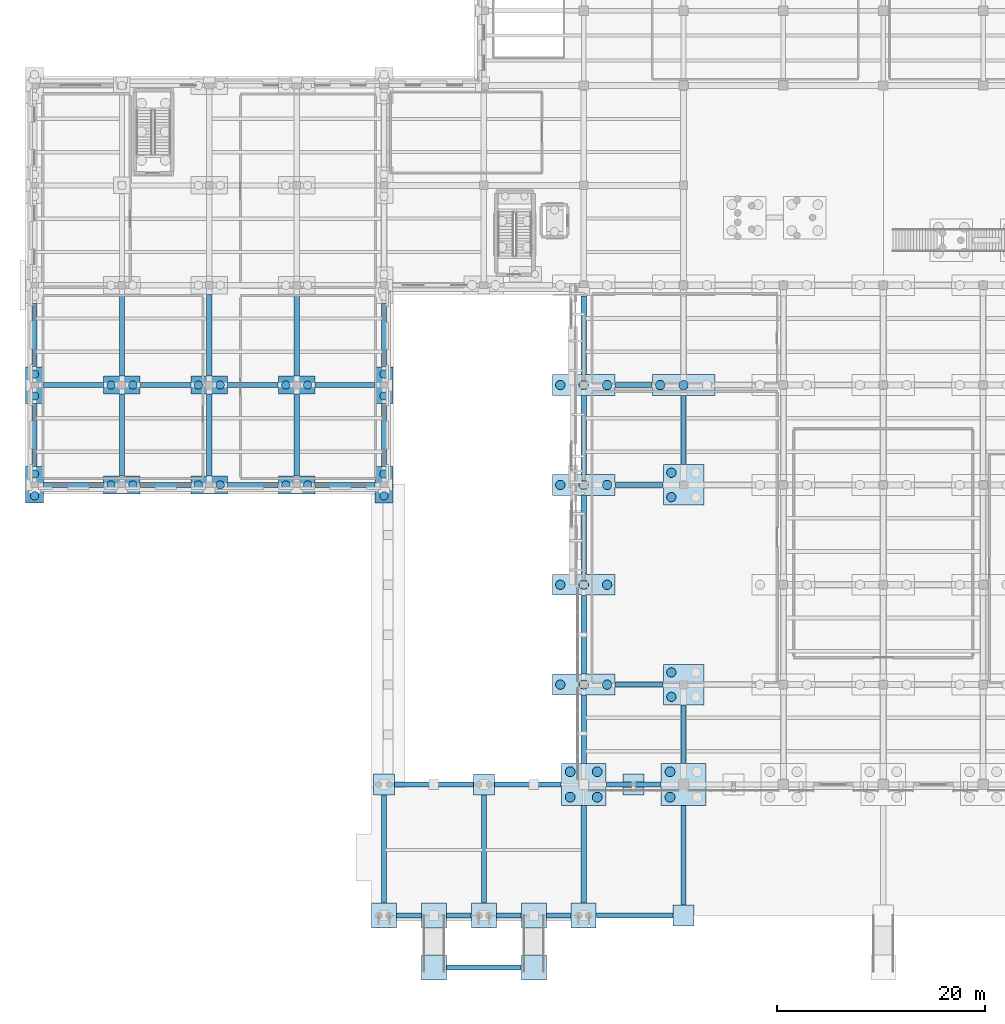
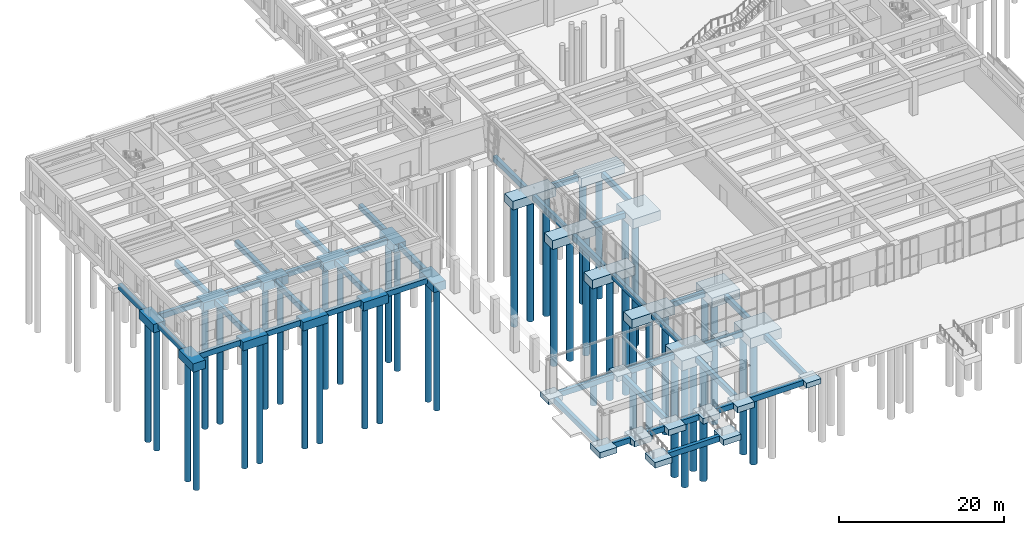
# One storey, part 1 of 51: 71 footings, 44 piles.
"""IFC4 building model written with IfcOpenShell, lengths in metres."""

from ifc_helpers import new_model, si_unit, direction, frame, origin, origin_2d, place, context, subcontext, project, spatial, rectangle, circle, extrude, material, material_profile, profile_set, type_object, element, save


model = new_model("IFC4")

# Units and contexts
model_context = context("Model", 3, precision=1e-05, world=origin(), true_north=direction((0.0, 1.0)))
body_context = subcontext(model_context, "Body", "Model", "MODEL_VIEW")
ifc_project = project(units=[si_unit("LENGTHUNIT", "METRE"), si_unit("AREAUNIT", "SQUARE_METRE"), si_unit("VOLUMEUNIT", "CUBIC_METRE"), si_unit("PLANEANGLEUNIT", "RADIAN"), si_unit("MASSUNIT", "GRAM", prefix="KILO")], contexts=[model_context])

# Site, building, storey
site_placement = place(None, origin())
site = spatial("IfcSite", under=ifc_project, at=site_placement, CompositionType="ELEMENT")
building_placement = place(site_placement, origin())
building = spatial("IfcBuilding", under=site, at=building_placement, Name="Bempovik Park Faculty of Sciences", CompositionType="ELEMENT")
storey_placement = place(building_placement, origin())
storey = spatial("IfcBuildingStorey", under=building, at=storey_placement, Name="L00", CompositionType="ELEMENT", Elevation=0.0)

# Footings
ifc_material = material(Name="Concrete C35/45", Category="concrete")
footing_type_1 = type_object("IfcFootingType", Name="F-25 Pile Cap 4300x4000x1450", PredefinedType="PILE_CAP", material=ifc_material)
for number, where, z_axis, x_axis, name in (
    (1, (60.0, 19.800048828125, -1.81005859375), (0.0, 0.0, 1.0), (1.0, 0.0, 0.0), "Footing FT-L0-600-198"),
    (2, (69.60009765625, 19.800048828125, -1.81005859375), (0.0, 0.0, 1.0), (1.0, 0.0, 0.0), "Footing FT-L0-696-198"),
):
    element("IfcFooting", number, at=place(storey_placement, frame(where, z_axis=z_axis, x_axis=x_axis)), inside=storey, type_object=footing_type_1, Name=name, PredefinedType="PILE_CAP", context=body_context, shape_type="SweptSolid", body=[
        extrude(rectangle(XDim=4.300048828125, YDim=4.0, at=origin_2d()), origin(), (0.0, 0.0, 1.0), 1.449951171875),
    ])
footing_type_2 = type_object("IfcFootingType", Name="F-26 Pile Cap 3900x3900x1400", PredefinedType="PILE_CAP", material=ifc_material)
for number, where, z_axis, x_axis, name in (
    (3, (69.60009765625, 29.39990234375, -1.760009765625), (0.0, 0.0, 1.0), (1.0, 0.0, 0.0), "Footing FT-L0-696-294"),
    (4, (69.60009765625, 48.60009765625, -1.760009765625), (0.0, 0.0, 1.0), (1.0, 0.0, 0.0), "Footing FT-L0-696-486"),
):
    element("IfcFooting", number, at=place(storey_placement, frame(where, z_axis=z_axis, x_axis=x_axis)), inside=storey, type_object=footing_type_2, Name=name, PredefinedType="PILE_CAP", context=body_context, shape_type="SweptSolid", body=[
        extrude(rectangle(XDim=3.89990234375, YDim=3.89990234375, at=origin_2d()), origin(), (0.0, 0.0, 1.0), 1.39990234375),
    ])
footing_type_3 = type_object("IfcFootingType", Name="F-28 Pile Cap 6000x2000x1300", PredefinedType="PILE_CAP", material=ifc_material)
for number, where, z_axis, x_axis, name in (
    (5, (60.0, 29.39990234375, -1.66015625), (0.0, 0.0, 1.0), (1.0, 0.0, 0.0), "Footing FT-L0-600-294"),
    (6, (60.0, 39.0, -1.66015625), (0.0, 0.0, 1.0), (1.0, 0.0, 0.0), "Footing FT-L0-600-390"),
    (7, (60.0, 48.60009765625, -1.66015625), (0.0, 0.0, 1.0), (1.0, 0.0, 0.0), "Footing FT-L0-600-486"),
    (8, (60.0, 58.199951171875, -1.66015625), (0.0, 0.0, 1.0), (1.0, 0.0, 0.0), "Footing FT-L0-600-582"),
    (9, (69.60009765625, 58.199951171875, -1.66015625), (0.0, 0.0, 1.0), (1.0, 0.0, 0.0), "Footing FT-L0-696-582"),
):
    element("IfcFooting", number, at=place(storey_placement, frame(where, z_axis=z_axis, x_axis=x_axis)), inside=storey, type_object=footing_type_3, Name=name, PredefinedType="PILE_CAP", context=body_context, shape_type="SweptSolid", body=[
        extrude(rectangle(XDim=6.0, YDim=2.0, at=origin_2d()), origin(), (0.0, 0.0, 1.0), 1.300048828125),
    ])
footing_type_4 = type_object("IfcFootingType", Name="F-32 Pad Footing 2400x2400x850", PredefinedType="PAD_FOOTING", material=ifc_material)
for number, where, z_axis, x_axis, name in (
    (10, (40.800048828125, 7.199951171875, -1.18994140625), (0.0, 0.0, 1.0), (1.0, 0.0, 0.0), "Footing PAD-A-408"),
    (11, (50.39990234375, 7.199951171875, -1.18994140625), (0.0, 0.0, 1.0), (1.0, 0.0, 0.0), "Footing PAD-A-504"),
    (12, (60.0, 7.199951171875, -1.18994140625), (0.0, 0.0, 1.0), (1.0, 0.0, 0.0), "Footing PAD-A-600"),
    (13, (45.60009765625, 2.199951171875, -1.300048828125), (0.0, 0.0, 1.0), (1.0, 0.0, 0.0), "Footing PAD-RPTOE-1"),
    (14, (45.60009765625, 7.199951171875, -1.18994140625), (0.0, 0.0, 1.0), (1.0, 0.0, 0.0), "Footing PAD-RPHD-1"),
    (15, (55.199951171875, 2.199951171875, -1.300048828125), (0.0, 0.0, 1.0), (1.0, 0.0, 0.0), "Footing PAD-RPTOE-2"),
    (16, (55.199951171875, 7.199951171875, -1.18994140625), (0.0, 0.0, 1.0), (1.0, 0.0, 0.0), "Footing PAD-RPHD-2"),
):
    element("IfcFooting", number, at=place(storey_placement, frame(where, z_axis=z_axis, x_axis=x_axis)), inside=storey, type_object=footing_type_4, Name=name, PredefinedType="PAD_FOOTING", context=body_context, shape_type="SweptSolid", body=[
        extrude(rectangle(XDim=2.39990234375, YDim=2.39990234375, at=origin_2d()), origin(), (0.0, 0.0, 1.0), 0.85009765625),
    ])
footing_type_5 = type_object("IfcFootingType", Name="F-39 Pile Cap 3500x1700x1250", PredefinedType="PILE_CAP", material=ifc_material)
for number, where, z_axis, x_axis, name in (
    (17, (15.60009765625, 48.60009765625, -1.610107421875), (0.0, 0.0, 1.0), (1.0, 0.0, 0.0), "Footing FT-L0-156-486"),
    (18, (15.60009765625, 58.199951171875, -1.610107421875), (0.0, 0.0, 1.0), (1.0, 0.0, 0.0), "Footing FT-L0-156-582"),
    (19, (24.0, 48.60009765625, -1.610107421875), (0.0, 0.0, 1.0), (1.0, 0.0, 0.0), "Footing FT-L0-240-486"),
    (20, (24.0, 58.199951171875, -1.610107421875), (0.0, 0.0, 1.0), (1.0, 0.0, 0.0), "Footing FT-L0-240-582"),
    (21, (32.39990234375, 48.60009765625, -1.610107421875), (0.0, 0.0, 1.0), (1.0, 0.0, 0.0), "Footing FT-L0-324-486"),
    (22, (32.39990234375, 58.199951171875, -1.610107421875), (0.0, 0.0, 1.0), (1.0, 0.0, 0.0), "Footing FT-L0-324-582"),
):
    element("IfcFooting", number, at=place(storey_placement, frame(where, z_axis=z_axis, x_axis=x_axis)), inside=storey, type_object=footing_type_5, Name=name, PredefinedType="PILE_CAP", context=body_context, shape_type="SweptSolid", body=[
        extrude(rectangle(XDim=3.5, YDim=1.699951171875, at=origin_2d()), origin(), (0.0, 0.0, 1.0), 1.25),
    ])
footing_type_6 = type_object("IfcFootingType", Name="F-48 GB 500x800", PredefinedType="FOOTING_BEAM", material=ifc_material)
footing_1_placement = place(storey_placement, frame((7.199951171875, 53.39990234375, -1.16015625), z_axis=(0.0, 0.0, 1.0), x_axis=(1.0, 0.0, 0.0)))
element("IfcFooting", 23, at=footing_1_placement, inside=storey, type_object=footing_type_6, Name="Ground Tie Beam GB-Y-001", PredefinedType="FOOTING_BEAM", context=body_context, shape_type="SweptSolid", body=[
    extrude(rectangle(XDim=0.5, YDim=6.06005859375, at=origin_2d()), origin(), (0.0, 0.0, 1.0), 0.800048828125),
])
footing_2_placement = place(storey_placement, frame((10.949951171875, 48.60009765625, -1.16015625), z_axis=(0.0, 0.0, 1.0), x_axis=(1.0, 0.0, 0.0)))
element("IfcFooting", 24, at=footing_2_placement, inside=storey, type_object=footing_type_6, Name="Ground Tie Beam GB-X-002", PredefinedType="FOOTING_BEAM", context=body_context, shape_type="SweptSolid", body=[
    extrude(rectangle(XDim=5.760009765625, YDim=0.5, at=origin_2d()), origin(), (0.0, 0.0, 1.0), 0.800048828125),
])
footing_3_placement = place(storey_placement, frame((7.199951171875, 63.0, -1.16015625), z_axis=(0.0, 0.0, 1.0), x_axis=(1.0, 0.0, 0.0)))
element("IfcFooting", 25, at=footing_3_placement, inside=storey, type_object=footing_type_6, Name="Ground Tie Beam GB-Y-003", PredefinedType="FOOTING_BEAM", context=body_context, shape_type="SweptSolid", body=[
    extrude(rectangle(XDim=0.5, YDim=6.06005859375, at=origin_2d()), origin(), (0.0, 0.0, 1.0), 0.800048828125),
])
footing_4_placement = place(storey_placement, frame((10.949951171875, 58.199951171875, -1.16015625), z_axis=(0.0, 0.0, 1.0), x_axis=(1.0, 0.0, 0.0)))
element("IfcFooting", 26, at=footing_4_placement, inside=storey, type_object=footing_type_6, Name="Ground Tie Beam GB-X-004", PredefinedType="FOOTING_BEAM", context=body_context, shape_type="SweptSolid", body=[
    extrude(rectangle(XDim=5.760009765625, YDim=0.5, at=origin_2d()), origin(), (0.0, 0.0, 1.0), 0.800048828125),
])
footing_5_placement = place(storey_placement, frame((15.60009765625, 53.39990234375, -1.16015625), z_axis=(0.0, 0.0, 1.0), x_axis=(1.0, 0.0, 0.0)))
element("IfcFooting", 27, at=footing_5_placement, inside=storey, type_object=footing_type_6, Name="Ground Tie Beam GB-Y-010", PredefinedType="FOOTING_BEAM", context=body_context, shape_type="SweptSolid", body=[
    extrude(rectangle(XDim=0.5, YDim=7.860107421875, at=origin_2d()), origin(), (0.0, 0.0, 1.0), 0.800048828125),
])
footing_6_placement = place(storey_placement, frame((19.800048828125, 48.60009765625, -1.16015625), z_axis=(0.0, 0.0, 1.0), x_axis=(1.0, 0.0, 0.0)))
element("IfcFooting", 28, at=footing_6_placement, inside=storey, type_object=footing_type_6, Name="Ground Tie Beam GB-X-011", PredefinedType="FOOTING_BEAM", context=body_context, shape_type="SweptSolid", body=[
    extrude(rectangle(XDim=4.860107421875, YDim=0.5, at=origin_2d()), origin(), (0.0, 0.0, 1.0), 0.800048828125),
])
footing_7_placement = place(storey_placement, frame((15.60009765625, 63.0, -1.16015625), z_axis=(0.0, 0.0, 1.0), x_axis=(1.0, 0.0, 0.0)))
element("IfcFooting", 29, at=footing_7_placement, inside=storey, type_object=footing_type_6, Name="Ground Tie Beam GB-Y-012", PredefinedType="FOOTING_BEAM", context=body_context, shape_type="SweptSolid", body=[
    extrude(rectangle(XDim=0.5, YDim=7.860107421875, at=origin_2d()), origin(), (0.0, 0.0, 1.0), 0.800048828125),
])
footing_8_placement = place(storey_placement, frame((19.800048828125, 58.199951171875, -1.16015625), z_axis=(0.0, 0.0, 1.0), x_axis=(1.0, 0.0, 0.0)))
element("IfcFooting", 30, at=footing_8_placement, inside=storey, type_object=footing_type_6, Name="Ground Tie Beam GB-X-013", PredefinedType="FOOTING_BEAM", context=body_context, shape_type="SweptSolid", body=[
    extrude(rectangle(XDim=4.860107421875, YDim=0.5, at=origin_2d()), origin(), (0.0, 0.0, 1.0), 0.800048828125),
])
footing_9_placement = place(storey_placement, frame((24.0, 53.39990234375, -1.16015625), z_axis=(0.0, 0.0, 1.0), x_axis=(1.0, 0.0, 0.0)))
element("IfcFooting", 31, at=footing_9_placement, inside=storey, type_object=footing_type_6, Name="Ground Tie Beam GB-Y-018", PredefinedType="FOOTING_BEAM", context=body_context, shape_type="SweptSolid", body=[
    extrude(rectangle(XDim=0.5, YDim=7.860107421875, at=origin_2d()), origin(), (0.0, 0.0, 1.0), 0.800048828125),
])
footing_10_placement = place(storey_placement, frame((28.199951171875, 48.60009765625, -1.16015625), z_axis=(0.0, 0.0, 1.0), x_axis=(1.0, 0.0, 0.0)))
element("IfcFooting", 32, at=footing_10_placement, inside=storey, type_object=footing_type_6, Name="Ground Tie Beam GB-X-019", PredefinedType="FOOTING_BEAM", context=body_context, shape_type="SweptSolid", body=[
    extrude(rectangle(XDim=4.860107421875, YDim=0.5, at=origin_2d()), origin(), (0.0, 0.0, 1.0), 0.800048828125),
])
footing_11_placement = place(storey_placement, frame((24.0, 63.0, -1.16015625), z_axis=(0.0, 0.0, 1.0), x_axis=(1.0, 0.0, 0.0)))
element("IfcFooting", 33, at=footing_11_placement, inside=storey, type_object=footing_type_6, Name="Ground Tie Beam GB-Y-020", PredefinedType="FOOTING_BEAM", context=body_context, shape_type="SweptSolid", body=[
    extrude(rectangle(XDim=0.5, YDim=7.860107421875, at=origin_2d()), origin(), (0.0, 0.0, 1.0), 0.800048828125),
])
footing_12_placement = place(storey_placement, frame((28.199951171875, 58.199951171875, -1.16015625), z_axis=(0.0, 0.0, 1.0), x_axis=(1.0, 0.0, 0.0)))
element("IfcFooting", 34, at=footing_12_placement, inside=storey, type_object=footing_type_6, Name="Ground Tie Beam GB-X-021", PredefinedType="FOOTING_BEAM", context=body_context, shape_type="SweptSolid", body=[
    extrude(rectangle(XDim=4.860107421875, YDim=0.5, at=origin_2d()), origin(), (0.0, 0.0, 1.0), 0.800048828125),
])
footing_13_placement = place(storey_placement, frame((32.39990234375, 53.39990234375, -1.16015625), z_axis=(0.0, 0.0, 1.0), x_axis=(1.0, 0.0, 0.0)))
element("IfcFooting", 35, at=footing_13_placement, inside=storey, type_object=footing_type_6, Name="Ground Tie Beam GB-Y-027", PredefinedType="FOOTING_BEAM", context=body_context, shape_type="SweptSolid", body=[
    extrude(rectangle(XDim=0.5, YDim=7.860107421875, at=origin_2d()), origin(), (0.0, 0.0, 1.0), 0.800048828125),
])
footing_14_placement = place(storey_placement, frame((37.050048828125, 48.60009765625, -1.16015625), z_axis=(0.0, 0.0, 1.0), x_axis=(1.0, 0.0, 0.0)))
element("IfcFooting", 36, at=footing_14_placement, inside=storey, type_object=footing_type_6, Name="Ground Tie Beam GB-X-028", PredefinedType="FOOTING_BEAM", context=body_context, shape_type="SweptSolid", body=[
    extrude(rectangle(XDim=5.760009765625, YDim=0.5, at=origin_2d()), origin(), (0.0, 0.0, 1.0), 0.800048828125),
])
footing_15_placement = place(storey_placement, frame((32.39990234375, 63.0, -1.16015625), z_axis=(0.0, 0.0, 1.0), x_axis=(1.0, 0.0, 0.0)))
element("IfcFooting", 37, at=footing_15_placement, inside=storey, type_object=footing_type_6, Name="Ground Tie Beam GB-Y-029", PredefinedType="FOOTING_BEAM", context=body_context, shape_type="SweptSolid", body=[
    extrude(rectangle(XDim=0.5, YDim=7.860107421875, at=origin_2d()), origin(), (0.0, 0.0, 1.0), 0.800048828125),
])
footing_16_placement = place(storey_placement, frame((37.050048828125, 58.199951171875, -1.16015625), z_axis=(0.0, 0.0, 1.0), x_axis=(1.0, 0.0, 0.0)))
element("IfcFooting", 38, at=footing_16_placement, inside=storey, type_object=footing_type_6, Name="Ground Tie Beam GB-X-030", PredefinedType="FOOTING_BEAM", context=body_context, shape_type="SweptSolid", body=[
    extrude(rectangle(XDim=5.760009765625, YDim=0.5, at=origin_2d()), origin(), (0.0, 0.0, 1.0), 0.800048828125),
])
footing_17_placement = place(storey_placement, frame((40.800048828125, 13.60009765625, -1.14013671875), z_axis=(0.0, 0.0, 1.0), x_axis=(1.0, 0.0, 0.0)))
element("IfcFooting", 39, at=footing_17_placement, inside=storey, type_object=footing_type_6, Name="Ground Tie Beam GB-Y-036", PredefinedType="FOOTING_BEAM", context=body_context, shape_type="SweptSolid", body=[
    extrude(rectangle(XDim=0.5, YDim=10.360107421875, at=origin_2d()), origin(), (0.0, 0.0, 1.0), 0.800048828125),
])
footing_18_placement = place(storey_placement, frame((43.199951171875, 7.199951171875, -1.14013671875), z_axis=(0.0, 0.0, 1.0), x_axis=(1.0, 0.0, 0.0)))
element("IfcFooting", 40, at=footing_18_placement, inside=storey, type_object=footing_type_6, Name="Ground Tie Beam GB-X-037", PredefinedType="FOOTING_BEAM", context=body_context, shape_type="SweptSolid", body=[
    extrude(rectangle(XDim=2.360107421875, YDim=0.5, at=origin_2d()), origin(), (0.0, 0.0, 1.0), 0.800048828125),
])
footing_19_placement = place(storey_placement, frame((45.60009765625, 19.800048828125, -1.14013671875), z_axis=(0.0, 0.0, 1.0), x_axis=(1.0, 0.0, 0.0)))
element("IfcFooting", 41, at=footing_19_placement, inside=storey, type_object=footing_type_6, Name="Ground Tie Beam GB-X-038", PredefinedType="FOOTING_BEAM", context=body_context, shape_type="SweptSolid", body=[
    extrude(rectangle(XDim=7.56005859375, YDim=0.5, at=origin_2d()), origin(), (0.0, 0.0, 1.0), 0.800048828125),
])
for number, where, z_axis, x_axis, name in (
    (42, (40.800048828125, 53.39990234375, -1.16015625), (0.0, 0.0, 1.0), (1.0, 0.0, 0.0), "Ground Tie Beam GB-Y-039"),
    (43, (40.800048828125, 63.0, -1.16015625), (0.0, 0.0, 1.0), (1.0, 0.0, 0.0), "Ground Tie Beam GB-Y-040"),
):
    element("IfcFooting", number, at=place(storey_placement, frame(where, z_axis=z_axis, x_axis=x_axis)), inside=storey, type_object=footing_type_6, Name=name, PredefinedType="FOOTING_BEAM", context=body_context, shape_type="SweptSolid", body=[
        extrude(rectangle(XDim=0.5, YDim=6.06005859375, at=origin_2d()), origin(), (0.0, 0.0, 1.0), 0.800048828125),
    ])
footing_20_placement = place(storey_placement, frame((50.39990234375, 2.199951171875, -1.25), z_axis=(0.0, 0.0, 1.0), x_axis=(1.0, 0.0, 0.0)))
element("IfcFooting", 44, at=footing_20_placement, inside=storey, type_object=footing_type_6, Name="Ground Tie Beam GB-X-044", PredefinedType="FOOTING_BEAM", context=body_context, shape_type="SweptSolid", body=[
    extrude(rectangle(XDim=7.159912109375, YDim=0.5, at=origin_2d()), origin(), (0.0, 0.0, 1.0), 0.800048828125),
])
footing_21_placement = place(storey_placement, frame((48.0, 7.199951171875, -1.14013671875), z_axis=(0.0, 0.0, 1.0), x_axis=(1.0, 0.0, 0.0)))
element("IfcFooting", 45, at=footing_21_placement, inside=storey, type_object=footing_type_6, Name="Ground Tie Beam GB-X-045", PredefinedType="FOOTING_BEAM", context=body_context, shape_type="SweptSolid", body=[
    extrude(rectangle(XDim=2.360107421875, YDim=0.5, at=origin_2d()), origin(), (0.0, 0.0, 1.0), 0.800048828125),
])
footing_22_placement = place(storey_placement, frame((50.39990234375, 13.60009765625, -1.14013671875), z_axis=(0.0, 0.0, 1.0), x_axis=(1.0, 0.0, 0.0)))
element("IfcFooting", 46, at=footing_22_placement, inside=storey, type_object=footing_type_6, Name="Ground Tie Beam GB-Y-046", PredefinedType="FOOTING_BEAM", context=body_context, shape_type="SweptSolid", body=[
    extrude(rectangle(XDim=0.5, YDim=10.360107421875, at=origin_2d()), origin(), (0.0, 0.0, 1.0), 0.800048828125),
])
footing_23_placement = place(storey_placement, frame((52.800048828125, 7.199951171875, -1.14013671875), z_axis=(0.0, 0.0, 1.0), x_axis=(1.0, 0.0, 0.0)))
element("IfcFooting", 47, at=footing_23_placement, inside=storey, type_object=footing_type_6, Name="Ground Tie Beam GB-X-047", PredefinedType="FOOTING_BEAM", context=body_context, shape_type="SweptSolid", body=[
    extrude(rectangle(XDim=2.360107421875, YDim=0.5, at=origin_2d()), origin(), (0.0, 0.0, 1.0), 0.800048828125),
])
footing_24_placement = place(storey_placement, frame((54.625, 19.800048828125, -1.14013671875), z_axis=(0.0, 0.0, 1.0), x_axis=(1.0, 0.0, 0.0)))
element("IfcFooting", 48, at=footing_24_placement, inside=storey, type_object=footing_type_6, Name="Ground Tie Beam GB-X-048", PredefinedType="FOOTING_BEAM", context=body_context, shape_type="SweptSolid", body=[
    extrude(rectangle(XDim=6.409912109375, YDim=0.5, at=origin_2d()), origin(), (0.0, 0.0, 1.0), 0.800048828125),
])
footing_25_placement = place(storey_placement, frame((57.60009765625, 7.199951171875, -1.14013671875), z_axis=(0.0, 0.0, 1.0), x_axis=(1.0, 0.0, 0.0)))
element("IfcFooting", 49, at=footing_25_placement, inside=storey, type_object=footing_type_6, Name="Ground Tie Beam GB-X-050", PredefinedType="FOOTING_BEAM", context=body_context, shape_type="SweptSolid", body=[
    extrude(rectangle(XDim=2.360107421875, YDim=0.5, at=origin_2d()), origin(), (0.0, 0.0, 1.0), 0.800048828125),
])
footing_26_placement = place(storey_placement, frame((60.0, 13.10009765625, -1.14013671875), z_axis=(0.0, 0.0, 1.0), x_axis=(1.0, 0.0, 0.0)))
element("IfcFooting", 50, at=footing_26_placement, inside=storey, type_object=footing_type_6, Name="Ground Tie Beam GB-Y-051", PredefinedType="FOOTING_BEAM", context=body_context, shape_type="SweptSolid", body=[
    extrude(rectangle(XDim=0.5, YDim=9.360107421875, at=origin_2d()), origin(), (0.0, 0.0, 1.0), 0.800048828125),
])
footing_27_placement = place(storey_placement, frame((64.89990234375, 7.199951171875, -1.14013671875), z_axis=(0.0, 0.0, 1.0), x_axis=(1.0, 0.0, 0.0)))
element("IfcFooting", 51, at=footing_27_placement, inside=storey, type_object=footing_type_6, Name="Ground Tie Beam GB-X-052", PredefinedType="FOOTING_BEAM", context=body_context, shape_type="SweptSolid", body=[
    extrude(rectangle(XDim=7.360107421875, YDim=0.5, at=origin_2d()), origin(), (0.0, 0.0, 1.0), 0.800048828125),
])
footing_28_placement = place(storey_placement, frame((60.0, 25.10009765625, -1.16015625), z_axis=(0.0, 0.0, 1.0), x_axis=(1.0, 0.0, 0.0)))
element("IfcFooting", 52, at=footing_28_placement, inside=storey, type_object=footing_type_6, Name="Ground Tie Beam GB-Y-053", PredefinedType="FOOTING_BEAM", context=body_context, shape_type="SweptSolid", body=[
    extrude(rectangle(XDim=0.5, YDim=6.56005859375, at=origin_2d()), origin(), (0.0, 0.0, 1.0), 0.800048828125),
])
footing_29_placement = place(storey_placement, frame((64.800048828125, 19.800048828125, -1.16015625), z_axis=(0.0, 0.0, 1.0), x_axis=(1.0, 0.0, 0.0)))
element("IfcFooting", 53, at=footing_29_placement, inside=storey, type_object=footing_type_6, Name="Ground Tie Beam GB-X-054", PredefinedType="FOOTING_BEAM", context=body_context, shape_type="SweptSolid", body=[
    extrude(rectangle(XDim=5.260009765625, YDim=0.5, at=origin_2d()), origin(), (0.0, 0.0, 1.0), 0.800048828125),
])
footing_30_placement = place(storey_placement, frame((60.0, 34.199951171875, -1.16015625), z_axis=(0.0, 0.0, 1.0), x_axis=(1.0, 0.0, 0.0)))
element("IfcFooting", 54, at=footing_30_placement, inside=storey, type_object=footing_type_6, Name="Ground Tie Beam GB-Y-055", PredefinedType="FOOTING_BEAM", context=body_context, shape_type="SweptSolid", body=[
    extrude(rectangle(XDim=0.5, YDim=7.56005859375, at=origin_2d()), origin(), (0.0, 0.0, 1.0), 0.800048828125),
])
footing_31_placement = place(storey_placement, frame((65.324951171875, 29.39990234375, -1.16015625), z_axis=(0.0, 0.0, 1.0), x_axis=(1.0, 0.0, 0.0)))
element("IfcFooting", 55, at=footing_31_placement, inside=storey, type_object=footing_type_6, Name="Ground Tie Beam GB-X-056", PredefinedType="FOOTING_BEAM", context=body_context, shape_type="SweptSolid", body=[
    extrude(rectangle(XDim=4.610107421875, YDim=0.5, at=origin_2d()), origin(), (0.0, 0.0, 1.0), 0.800048828125),
])
for number, where, z_axis, x_axis, name in (
    (56, (60.0, 43.800048828125, -1.16015625), (0.0, 0.0, 1.0), (1.0, 0.0, 0.0), "Ground Tie Beam GB-Y-057"),
    (57, (60.0, 53.39990234375, -1.16015625), (0.0, 0.0, 1.0), (1.0, 0.0, 0.0), "Ground Tie Beam GB-Y-058"),
):
    element("IfcFooting", number, at=place(storey_placement, frame(where, z_axis=z_axis, x_axis=x_axis)), inside=storey, type_object=footing_type_6, Name=name, PredefinedType="FOOTING_BEAM", context=body_context, shape_type="SweptSolid", body=[
        extrude(rectangle(XDim=0.5, YDim=7.56005859375, at=origin_2d()), origin(), (0.0, 0.0, 1.0), 0.800048828125),
    ])
footing_32_placement = place(storey_placement, frame((65.324951171875, 48.60009765625, -1.16015625), z_axis=(0.0, 0.0, 1.0), x_axis=(1.0, 0.0, 0.0)))
element("IfcFooting", 58, at=footing_32_placement, inside=storey, type_object=footing_type_6, Name="Ground Tie Beam GB-X-059", PredefinedType="FOOTING_BEAM", context=body_context, shape_type="SweptSolid", body=[
    extrude(rectangle(XDim=4.610107421875, YDim=0.5, at=origin_2d()), origin(), (0.0, 0.0, 1.0), 0.800048828125),
])
footing_33_placement = place(storey_placement, frame((60.0, 63.0, -1.16015625), z_axis=(0.0, 0.0, 1.0), x_axis=(1.0, 0.0, 0.0)))
element("IfcFooting", 59, at=footing_33_placement, inside=storey, type_object=footing_type_6, Name="Ground Tie Beam GB-Y-060", PredefinedType="FOOTING_BEAM", context=body_context, shape_type="SweptSolid", body=[
    extrude(rectangle(XDim=0.5, YDim=7.56005859375, at=origin_2d()), origin(), (0.0, 0.0, 1.0), 0.800048828125),
])
footing_34_placement = place(storey_placement, frame((64.800048828125, 58.199951171875, -1.16015625), z_axis=(0.0, 0.0, 1.0), x_axis=(1.0, 0.0, 0.0)))
element("IfcFooting", 60, at=footing_34_placement, inside=storey, type_object=footing_type_6, Name="Ground Tie Beam GB-X-061", PredefinedType="FOOTING_BEAM", context=body_context, shape_type="SweptSolid", body=[
    extrude(rectangle(XDim=3.56005859375, YDim=0.5, at=origin_2d()), origin(), (0.0, 0.0, 1.0), 0.800048828125),
])
footing_35_placement = place(storey_placement, frame((69.60009765625, 13.0, -1.14013671875), z_axis=(0.0, 0.0, 1.0), x_axis=(1.0, 0.0, 0.0)))
element("IfcFooting", 61, at=footing_35_placement, inside=storey, type_object=footing_type_6, Name="Ground Tie Beam GB-Y-063", PredefinedType="FOOTING_BEAM", context=body_context, shape_type="SweptSolid", body=[
    extrude(rectangle(XDim=0.5, YDim=9.56005859375, at=origin_2d()), origin(), (0.0, 0.0, 1.0), 0.800048828125),
])
footing_36_placement = place(storey_placement, frame((69.60009765625, 24.625, -1.16015625), z_axis=(0.0, 0.0, 1.0), x_axis=(1.0, 0.0, 0.0)))
element("IfcFooting", 62, at=footing_36_placement, inside=storey, type_object=footing_type_6, Name="Ground Tie Beam GB-Y-064", PredefinedType="FOOTING_BEAM", context=body_context, shape_type="SweptSolid", body=[
    extrude(rectangle(XDim=0.5, YDim=5.610107421875, at=origin_2d()), origin(), (0.0, 0.0, 1.0), 0.800048828125),
])
footing_37_placement = place(storey_placement, frame((69.60009765625, 53.875, -1.16015625), z_axis=(0.0, 0.0, 1.0), x_axis=(1.0, 0.0, 0.0)))
element("IfcFooting", 63, at=footing_37_placement, inside=storey, type_object=footing_type_6, Name="Ground Tie Beam GB-Y-067", PredefinedType="FOOTING_BEAM", context=body_context, shape_type="SweptSolid", body=[
    extrude(rectangle(XDim=0.5, YDim=6.610107421875, at=origin_2d()), origin(), (0.0, 0.0, 1.0), 0.800048828125),
])
footing_type_7 = type_object("IfcFootingType", Name="F-52 Pad Footing 2000x2000x750", PredefinedType="PAD_FOOTING", material=ifc_material)
for number, where, z_axis, x_axis, name in (
    (64, (40.800048828125, 19.800048828125, -1.090087890625), (0.0, 0.0, 1.0), (1.0, 0.0, 0.0), "Footing PAD-B-408"),
    (65, (50.39990234375, 19.800048828125, -1.090087890625), (0.0, 0.0, 1.0), (1.0, 0.0, 0.0), "Footing PAD-B-504"),
    (66, (69.60009765625, 7.199951171875, -1.090087890625), (0.0, 0.0, 1.0), (1.0, 0.0, 0.0), "Footing PAD-PORT-696"),
    (67, (64.800048828125, 19.800048828125, -1.110107421875), (0.0, 0.0, 1.0), (1.0, 0.0, 0.0), "Footing PAD-FOY-648"),
):
    element("IfcFooting", number, at=place(storey_placement, frame(where, z_axis=z_axis, x_axis=x_axis)), inside=storey, type_object=footing_type_7, Name=name, PredefinedType="PAD_FOOTING", context=body_context, shape_type="SweptSolid", body=[
        extrude(rectangle(XDim=2.0, YDim=2.0, at=origin_2d()), origin(), (0.0, 0.0, 1.0), 0.75),
    ])
footing_type_8 = type_object("IfcFootingType", Name="F-54 Pile Cap 1700x3500x1250", PredefinedType="PILE_CAP", material=ifc_material)
for number, where, z_axis, x_axis, name in (
    (68, (7.199951171875, 48.60009765625, -1.610107421875), (0.0, 0.0, 1.0), (1.0, 0.0, 0.0), "Footing FT-L0-72-486"),
    (69, (7.199951171875, 58.199951171875, -1.610107421875), (0.0, 0.0, 1.0), (1.0, 0.0, 0.0), "Footing FT-L0-72-582"),
    (70, (40.800048828125, 48.60009765625, -1.610107421875), (0.0, 0.0, 1.0), (1.0, 0.0, 0.0), "Footing FT-L0-408-486"),
    (71, (40.800048828125, 58.199951171875, -1.610107421875), (0.0, 0.0, 1.0), (1.0, 0.0, 0.0), "Footing FT-L0-408-582"),
):
    element("IfcFooting", number, at=place(storey_placement, frame(where, z_axis=z_axis, x_axis=x_axis)), inside=storey, type_object=footing_type_8, Name=name, PredefinedType="PILE_CAP", context=body_context, shape_type="SweptSolid", body=[
        extrude(rectangle(XDim=1.699951171875, YDim=3.5, at=origin_2d()), origin(), (0.0, 0.0, 1.0), 1.25),
    ])

# Piles
ifc_material_profile_1 = material_profile(ifc_material, circle(Radius=0.39990234375, at=origin_2d()), Name="BP D800")
ifc_profile_set_1 = profile_set([ifc_material_profile_1], Name="Concrete C35/45")
pile_type_1 = type_object("IfcPileType", Name="P-12 BP D800", PredefinedType="BORED", material=ifc_profile_set_1)
for number, where, z_axis, x_axis, name in (
    (72, (7.199951171875, 47.550048828125, -1.510009765625), (0.0, 0.0, -1.0), (1.0, 0.0, 0.0), "Bored Pile FT-L0-72-486-P1"),
    (73, (7.199951171875, 49.64990234375, -1.510009765625), (0.0, 0.0, -1.0), (1.0, 0.0, 0.0), "Bored Pile FT-L0-72-486-P2"),
    (74, (7.199951171875, 57.14990234375, -1.510009765625), (0.0, 0.0, -1.0), (1.0, 0.0, 0.0), "Bored Pile FT-L0-72-582-P1"),
    (75, (7.199951171875, 59.25, -1.510009765625), (0.0, 0.0, -1.0), (1.0, 0.0, 0.0), "Bored Pile FT-L0-72-582-P2"),
    (76, (14.550048828125, 48.60009765625, -1.510009765625), (0.0, 0.0, -1.0), (1.0, 0.0, 0.0), "Bored Pile FT-L0-156-486-P1"),
    (77, (16.64990234375, 48.60009765625, -1.510009765625), (0.0, 0.0, -1.0), (1.0, 0.0, 0.0), "Bored Pile FT-L0-156-486-P2"),
    (78, (14.550048828125, 58.199951171875, -1.510009765625), (0.0, 0.0, -1.0), (1.0, 0.0, 0.0), "Bored Pile FT-L0-156-582-P1"),
    (79, (16.64990234375, 58.199951171875, -1.510009765625), (0.0, 0.0, -1.0), (1.0, 0.0, 0.0), "Bored Pile FT-L0-156-582-P2"),
    (80, (22.949951171875, 48.60009765625, -1.510009765625), (0.0, 0.0, -1.0), (1.0, 0.0, 0.0), "Bored Pile FT-L0-240-486-P1"),
    (81, (25.050048828125, 48.60009765625, -1.510009765625), (0.0, 0.0, -1.0), (1.0, 0.0, 0.0), "Bored Pile FT-L0-240-486-P2"),
    (82, (22.949951171875, 58.199951171875, -1.510009765625), (0.0, 0.0, -1.0), (1.0, 0.0, 0.0), "Bored Pile FT-L0-240-582-P1"),
    (83, (25.050048828125, 58.199951171875, -1.510009765625), (0.0, 0.0, -1.0), (1.0, 0.0, 0.0), "Bored Pile FT-L0-240-582-P2"),
    (84, (31.35009765625, 48.60009765625, -1.510009765625), (0.0, 0.0, -1.0), (1.0, 0.0, 0.0), "Bored Pile FT-L0-324-486-P1"),
    (85, (33.449951171875, 48.60009765625, -1.510009765625), (0.0, 0.0, -1.0), (1.0, 0.0, 0.0), "Bored Pile FT-L0-324-486-P2"),
    (86, (31.35009765625, 58.199951171875, -1.510009765625), (0.0, 0.0, -1.0), (1.0, 0.0, 0.0), "Bored Pile FT-L0-324-582-P1"),
    (87, (33.449951171875, 58.199951171875, -1.510009765625), (0.0, 0.0, -1.0), (1.0, 0.0, 0.0), "Bored Pile FT-L0-324-582-P2"),
    (88, (40.800048828125, 47.550048828125, -1.510009765625), (0.0, 0.0, -1.0), (1.0, 0.0, 0.0), "Bored Pile FT-L0-408-486-P1"),
    (89, (40.800048828125, 49.64990234375, -1.510009765625), (0.0, 0.0, -1.0), (1.0, 0.0, 0.0), "Bored Pile FT-L0-408-486-P2"),
    (90, (40.800048828125, 57.14990234375, -1.510009765625), (0.0, 0.0, -1.0), (1.0, 0.0, 0.0), "Bored Pile FT-L0-408-582-P1"),
    (91, (40.800048828125, 59.25, -1.510009765625), (0.0, 0.0, -1.0), (1.0, 0.0, 0.0), "Bored Pile FT-L0-408-582-P2"),
):
    element("IfcPile", number, at=place(storey_placement, frame(where, z_axis=z_axis, x_axis=x_axis)), inside=storey, type_object=pile_type_1, Name=name, PredefinedType="BORED", context=body_context, shape_type="SweptSolid", body=[
        extrude(circle(Radius=0.39990234375, at=origin_2d()), origin(), (0.0, 0.0, 1.0), 17.989990234375),
    ])
ifc_material_profile_2 = material_profile(ifc_material, circle(Radius=0.47509765625, at=origin_2d()), Name="BP D950")
ifc_profile_set_2 = profile_set([ifc_material_profile_2], Name="Concrete C35/45")
pile_type_2 = type_object("IfcPileType", Name="P-14 BP D950", PredefinedType="BORED", material=ifc_profile_set_2)
for number, where, z_axis, x_axis, name in (
    (92, (58.699951171875, 18.574951171875, -1.7099609375), (0.0, 0.0, -1.0), (1.0, 0.0, 0.0), "Bored Pile FT-L0-600-198-P1"),
    (93, (58.699951171875, 21.02490234375, -1.7099609375), (0.0, 0.0, -1.0), (1.0, 0.0, 0.0), "Bored Pile FT-L0-600-198-P2"),
    (94, (61.300048828125, 18.574951171875, -1.7099609375), (0.0, 0.0, -1.0), (1.0, 0.0, 0.0), "Bored Pile FT-L0-600-198-P3"),
    (95, (61.300048828125, 21.02490234375, -1.7099609375), (0.0, 0.0, -1.0), (1.0, 0.0, 0.0), "Bored Pile FT-L0-600-198-P4"),
    (96, (68.300048828125, 18.574951171875, -1.7099609375), (0.0, 0.0, -1.0), (1.0, 0.0, 0.0), "Bored Pile FT-L0-696-198-P1"),
    (97, (68.300048828125, 21.02490234375, -1.7099609375), (0.0, 0.0, -1.0), (1.0, 0.0, 0.0), "Bored Pile FT-L0-696-198-P2"),
):
    element("IfcPile", number, at=place(storey_placement, frame(where, z_axis=z_axis, x_axis=x_axis)), inside=storey, type_object=pile_type_2, Name=name, PredefinedType="BORED", context=body_context, shape_type="SweptSolid", body=[
        extrude(circle(Radius=0.47509765625, at=origin_2d()), origin(), (0.0, 0.0, 1.0), 17.7900390625),
    ])
ifc_material_profile_3 = material_profile(ifc_material, circle(Radius=0.449951171875, at=origin_2d()), Name="BP D900")
ifc_profile_set_3 = profile_set([ifc_material_profile_3], Name="Concrete C35/45")
pile_type_3 = type_object("IfcPileType", Name="P-20 BP D900", PredefinedType="BORED", material=ifc_profile_set_3)
for number, where, z_axis, x_axis, name in (
    (98, (57.75, 29.39990234375, -1.56005859375), (0.0, 0.0, -1.0), (1.0, 0.0, 0.0), "Bored Pile FT-L0-600-294-P1"),
    (99, (60.0, 29.39990234375, -1.56005859375), (0.0, 0.0, -1.0), (1.0, 0.0, 0.0), "Bored Pile FT-L0-600-294-P2"),
    (100, (62.25, 29.39990234375, -1.56005859375), (0.0, 0.0, -1.0), (1.0, 0.0, 0.0), "Bored Pile FT-L0-600-294-P3"),
    (101, (57.75, 39.0, -1.56005859375), (0.0, 0.0, -1.0), (1.0, 0.0, 0.0), "Bored Pile FT-L0-600-390-P1"),
    (102, (60.0, 39.0, -1.56005859375), (0.0, 0.0, -1.0), (1.0, 0.0, 0.0), "Bored Pile FT-L0-600-390-P2"),
    (103, (62.25, 39.0, -1.56005859375), (0.0, 0.0, -1.0), (1.0, 0.0, 0.0), "Bored Pile FT-L0-600-390-P3"),
    (104, (57.75, 48.60009765625, -1.56005859375), (0.0, 0.0, -1.0), (1.0, 0.0, 0.0), "Bored Pile FT-L0-600-486-P1"),
    (105, (60.0, 48.60009765625, -1.56005859375), (0.0, 0.0, -1.0), (1.0, 0.0, 0.0), "Bored Pile FT-L0-600-486-P2"),
    (106, (62.25, 48.60009765625, -1.56005859375), (0.0, 0.0, -1.0), (1.0, 0.0, 0.0), "Bored Pile FT-L0-600-486-P3"),
    (107, (57.75, 58.199951171875, -1.56005859375), (0.0, 0.0, -1.0), (1.0, 0.0, 0.0), "Bored Pile FT-L0-600-582-P1"),
    (108, (60.0, 58.199951171875, -1.56005859375), (0.0, 0.0, -1.0), (1.0, 0.0, 0.0), "Bored Pile FT-L0-600-582-P2"),
    (109, (62.25, 58.199951171875, -1.56005859375), (0.0, 0.0, -1.0), (1.0, 0.0, 0.0), "Bored Pile FT-L0-600-582-P3"),
):
    element("IfcPile", number, at=place(storey_placement, frame(where, z_axis=z_axis, x_axis=x_axis)), inside=storey, type_object=pile_type_3, Name=name, PredefinedType="BORED", context=body_context, shape_type="SweptSolid", body=[
        extrude(circle(Radius=0.449951171875, at=origin_2d()), origin(), (0.0, 0.0, 1.0), 17.93994140625),
    ])
for number, where, z_axis, x_axis, name in (
    (110, (68.425048828125, 28.22509765625, -1.659912109375), (0.0, 0.0, -1.0), (1.0, 0.0, 0.0), "Bored Pile FT-L0-696-294-P1"),
    (111, (68.425048828125, 30.574951171875, -1.659912109375), (0.0, 0.0, -1.0), (1.0, 0.0, 0.0), "Bored Pile FT-L0-696-294-P2"),
    (112, (68.425048828125, 47.425048828125, -1.659912109375), (0.0, 0.0, -1.0), (1.0, 0.0, 0.0), "Bored Pile FT-L0-696-486-P1"),
    (113, (68.425048828125, 49.77490234375, -1.659912109375), (0.0, 0.0, -1.0), (1.0, 0.0, 0.0), "Bored Pile FT-L0-696-486-P2"),
):
    element("IfcPile", number, at=place(storey_placement, frame(where, z_axis=z_axis, x_axis=x_axis)), inside=storey, type_object=pile_type_3, Name=name, PredefinedType="BORED", context=body_context, shape_type="SweptSolid", body=[
        extrude(circle(Radius=0.449951171875, at=origin_2d()), origin(), (0.0, 0.0, 1.0), 17.840087890625),
    ])
for number, where, z_axis, x_axis, name in (
    (114, (67.35009765625, 58.199951171875, -1.56005859375), (0.0, 0.0, -1.0), (1.0, 0.0, 0.0), "Bored Pile FT-L0-696-582-P1"),
    (115, (69.60009765625, 58.199951171875, -1.56005859375), (0.0, 0.0, -1.0), (1.0, 0.0, 0.0), "Bored Pile FT-L0-696-582-P2"),
):
    element("IfcPile", number, at=place(storey_placement, frame(where, z_axis=z_axis, x_axis=x_axis)), inside=storey, type_object=pile_type_3, Name=name, PredefinedType="BORED", context=body_context, shape_type="SweptSolid", body=[
        extrude(circle(Radius=0.449951171875, at=origin_2d()), origin(), (0.0, 0.0, 1.0), 17.93994140625),
    ])

save(model, "model.ifc")
